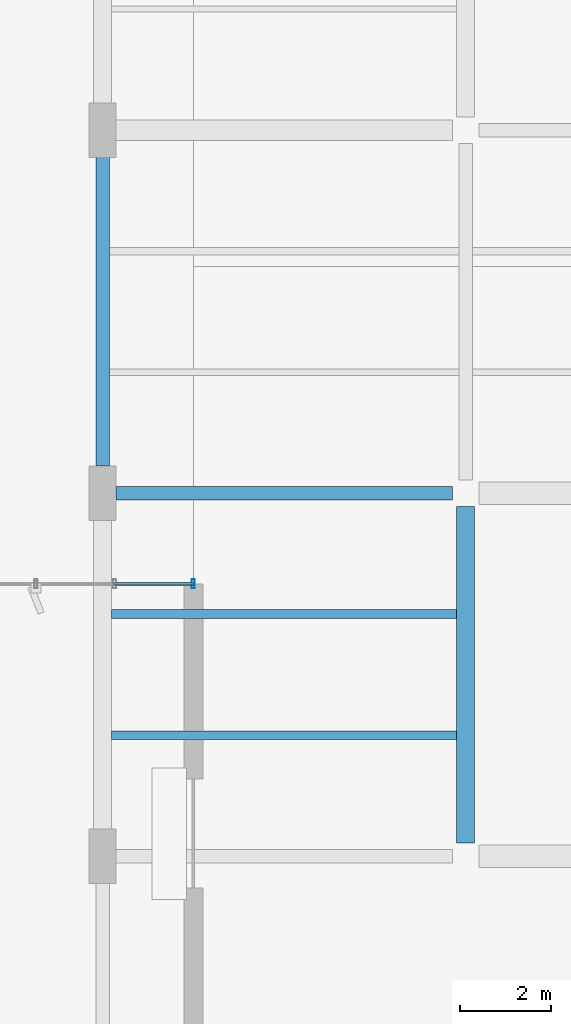
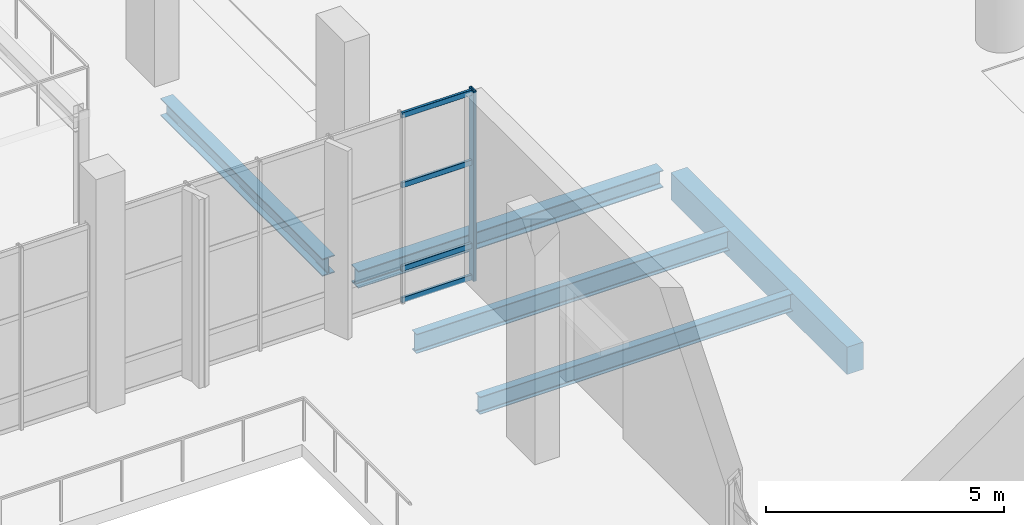
# One storey, part 48 of 163: 5 beams, 5 members, 1 element without a shape of its own.
"""IFC4 building model written with IfcOpenShell, lengths in metres."""

from ifc_helpers import new_model, si_unit, direction, frame, origin, origin_2d, place, context, subcontext, project, spatial, rectangle, hollow_rectangle, i_section, extrude, material, layer, layer_set, material_profile, profile_set, type_object, element, aggregate, save


model = new_model("IFC4")

# Units and contexts
model_context = context("Model", 3, precision=1e-05, world=origin(), true_north=direction((0.0, 1.0)))
body_context = subcontext(model_context, "Body", "Model", "MODEL_VIEW")
ifc_project = project(units=[si_unit("LENGTHUNIT", "METRE"), si_unit("AREAUNIT", "SQUARE_METRE"), si_unit("VOLUMEUNIT", "CUBIC_METRE"), si_unit("PLANEANGLEUNIT", "RADIAN"), si_unit("MASSUNIT", "GRAM", prefix="KILO")], contexts=[model_context])

# Site, building, storey
site_placement = place(None, origin())
site = spatial("IfcSite", under=ifc_project, at=site_placement, CompositionType="ELEMENT")
building_placement = place(site_placement, origin())
building = spatial("IfcBuilding", under=site, at=building_placement, Name="Khorjan Park Terminus", CompositionType="ELEMENT")
storey_placement = place(building_placement, origin())
storey = spatial("IfcBuildingStorey", under=building, at=storey_placement, Name="L00", CompositionType="ELEMENT", Elevation=0.0)

# Beams
ifc_material_1 = material(Name="Steel S355", Category="steel")
ifc_material_profile_1 = material_profile(ifc_material_1, i_section(OverallWidth=0.3, OverallDepth=0.44, WebThickness=0.0115, FlangeThickness=0.021, FilletRadius=0.027, at=origin_2d()), Name="HEA 450")
ifc_profile_set_1 = profile_set([ifc_material_profile_1], Name="Steel S355")
beam_type_1 = type_object("IfcBeamType", Name="BM-HEA450", PredefinedType="BEAM", material=ifc_profile_set_1)
beam_1_placement = place(storey_placement, frame((48.295, 52.0, -0.58), z_axis=(1.0, 0.0, 0.0), x_axis=(0.0, 1.0, 0.0)))
element("IfcBeam", 1, at=beam_1_placement, inside=storey, type_object=beam_type_1, Name="Primary floor girder SB-A45 (L00)", PredefinedType="BEAM", context=body_context, shape_type="SweptSolid", body=[
    extrude(i_section(OverallWidth=0.3, OverallDepth=0.44, WebThickness=0.0115, FlangeThickness=0.021, FilletRadius=0.027, at=origin_2d()), origin(), (0.0, 0.0, 1.0), 7.41),
])
ifc_material_profile_2 = material_profile(ifc_material_1, i_section(OverallWidth=0.3, OverallDepth=0.45, WebThickness=0.014, FlangeThickness=0.026, FilletRadius=0.027, at=origin_2d()), Name="HEB 450")
ifc_profile_set_2 = profile_set([ifc_material_profile_2], Name="Steel S355")
beam_type_2 = type_object("IfcBeamType", Name="BM-HEB450", PredefinedType="BEAM", material=ifc_profile_set_2)
beam_2_placement = place(storey_placement, frame((48.0, 52.595, -0.565), z_axis=(0.0, 1.0, 0.0), x_axis=(-1.0, 0.0, 0.0)))
element("IfcBeam", 2, at=beam_2_placement, inside=storey, type_object=beam_type_2, Name="Primary floor girder SB-B45 (L00)", PredefinedType="BEAM", context=body_context, shape_type="SweptSolid", body=[
    extrude(i_section(OverallWidth=0.3, OverallDepth=0.45, WebThickness=0.014, FlangeThickness=0.026, FilletRadius=0.027, at=origin_2d()), origin(), (0.0, 0.0, 1.0), 6.81),
])
ifc_material_2 = material(Name="Concrete C40/50", Category="concrete")
ifc_material_profile_3 = material_profile(ifc_material_2, rectangle(XDim=0.4, YDim=0.7, at=origin_2d()), Name="RC 400x700")
ifc_profile_set_3 = profile_set([ifc_material_profile_3], Name="Concrete C40/50")
beam_type_3 = type_object("IfcBeamType", Name="BM-RC400x700", PredefinedType="BEAM", material=ifc_profile_set_3)
beam_3_placement = place(storey_placement, frame((56.0, 44.295, -0.71), z_axis=(0.0, 1.0, 0.0), x_axis=(-1.0, 0.0, 0.0)))
element("IfcBeam", 3, at=beam_3_placement, inside=storey, type_object=beam_type_3, Name="Primary floor girder GB-07 (L00)", PredefinedType="BEAM", context=body_context, shape_type="SweptSolid", body=[
    extrude(rectangle(XDim=0.4, YDim=0.7, at=origin_2d()), origin(), (0.0, 0.0, 1.0), 7.41),
])
ifc_material_profile_4 = material_profile(ifc_material_1, i_section(OverallWidth=0.19, OverallDepth=0.45, WebThickness=0.0094, FlangeThickness=0.0146, FilletRadius=0.021, at=origin_2d()), Name="IPE 450")
ifc_profile_set_4 = profile_set([ifc_material_profile_4], Name="Steel S355")
beam_type_4 = type_object("IfcBeamType", Name="JS-IPE450", PredefinedType="JOIST", material=ifc_profile_set_4)
beam_4_placement = place(storey_placement, frame((48.2, 46.6667, -0.585), z_axis=(1.0, 0.0, 0.0), x_axis=(0.0, 1.0, 0.0)))
element("IfcBeam", 4, at=beam_4_placement, inside=storey, type_object=beam_type_4, Name="Secondary composite floor joist SJ-45 (L00)", PredefinedType="JOIST", context=body_context, shape_type="SweptSolid", body=[
    extrude(i_section(OverallWidth=0.19, OverallDepth=0.45, WebThickness=0.0094, FlangeThickness=0.0146, FilletRadius=0.021, at=origin_2d()), origin(), (0.0, 0.0, 1.0), 7.6),
])
ifc_material_profile_5 = material_profile(ifc_material_1, i_section(OverallWidth=0.2, OverallDepth=0.5, WebThickness=0.0102, FlangeThickness=0.016, FilletRadius=0.021, at=origin_2d()), Name="IPE 500")
ifc_profile_set_5 = profile_set([ifc_material_profile_5], Name="Steel S355")
beam_type_5 = type_object("IfcBeamType", Name="JS-IPE500", PredefinedType="JOIST", material=ifc_profile_set_5)
beam_5_placement = place(storey_placement, frame((48.2, 49.3333, -0.61), z_axis=(1.0, 0.0, 0.0), x_axis=(0.0, 1.0, 0.0)))
element("IfcBeam", 5, at=beam_5_placement, inside=storey, type_object=beam_type_5, Name="Secondary composite floor joist SJ-50 (L00)", PredefinedType="JOIST", context=body_context, shape_type="SweptSolid", body=[
    extrude(i_section(OverallWidth=0.2, OverallDepth=0.5, WebThickness=0.0102, FlangeThickness=0.016, FilletRadius=0.021, at=origin_2d()), origin(), (0.0, 0.0, 1.0), 7.6),
])

# Curtain wall, members
ifc_material_3 = material(Name="Anodized Bronze Aluminium", Category="aluminium")
ifc_layer = layer(ifc_material_3, 0.22)
ifc_layer_set = layer_set([ifc_layer], Name="Anodized Bronze Aluminium")
curtain_wall_type = type_object("IfcCurtainWallType", Name="CW-PAV-C", PredefinedType="NOTDEFINED", material=ifc_layer_set)
curtain_wall_placement = place(storey_placement, origin())
curtain_wall = element("IfcCurtainWall", 6, at=curtain_wall_placement, inside=storey, type_object=curtain_wall_type, Name="Unitized curtain wall CW-C (CW-V4L-S-L00-3)", PredefinedType="NOTDEFINED")
ifc_material_profile_6 = material_profile(ifc_material_3, hollow_rectangle(XDim=0.07, YDim=0.2, WallThickness=0.005, InnerFilletRadius=0.005, OuterFilletRadius=0.01, at=origin_2d()), Name="ALM 70x200x5")
ifc_profile_set_6 = profile_set([ifc_material_profile_6], Name="Anodized Bronze Aluminium")
member_type_1 = type_object("IfcMemberType", Name="ML-ALM-200", PredefinedType="MULLION", material=ifc_profile_set_6)
member_1_placement = place(storey_placement, frame((50.0, 50.0, -0.035), z_axis=(0.0, 0.0, 1.0), x_axis=(1.0, 0.0, 0.0)))
member_1 = element("IfcMember", 7, at=member_1_placement, type_object=member_type_1, Name="Curtain-wall mullion ML-20 (CW-V4L-S-L00-3-5)", PredefinedType="MULLION", context=body_context, shape_type="SweptSolid", body=[
    extrude(hollow_rectangle(XDim=0.07, YDim=0.2, WallThickness=0.005, InnerFilletRadius=0.005, OuterFilletRadius=0.01, at=origin_2d()), origin(), (0.0, 0.0, 1.0), 4.895),
])
ifc_material_profile_7 = material_profile(ifc_material_3, hollow_rectangle(XDim=0.065, YDim=0.14, WallThickness=0.004, InnerFilletRadius=0.004, OuterFilletRadius=0.008, at=origin_2d()), Name="ALT 65x140x4")
ifc_profile_set_7 = profile_set([ifc_material_profile_7], Name="Anodized Bronze Aluminium")
member_type_2 = type_object("IfcMemberType", Name="TR-ALT-140", PredefinedType="USERDEFINED", material=ifc_profile_set_7)
member_2_placement = place(storey_placement, frame((48.266, 50.0, 0.04), z_axis=(1.0, 0.0, 0.0), x_axis=(0.0, 1.0, 0.0)))
member_2 = element("IfcMember", 8, at=member_2_placement, type_object=member_type_2, Name="Curtain-wall transom TR-14 (CW-V4L-S-L00-3-4-1)", ObjectType="TRANSOM", PredefinedType="USERDEFINED", context=body_context, shape_type="SweptSolid", body=[
    extrude(hollow_rectangle(XDim=0.065, YDim=0.14, WallThickness=0.004, InnerFilletRadius=0.004, OuterFilletRadius=0.008, at=origin_2d()), origin(), (0.0, 0.0, 1.0), 1.734),
])
member_3_placement = place(storey_placement, frame((48.266, 50.0, 0.85), z_axis=(1.0, 0.0, 0.0), x_axis=(0.0, 1.0, 0.0)))
member_3 = element("IfcMember", 9, at=member_3_placement, type_object=member_type_2, Name="Curtain-wall transom TR-14 (CW-V4L-S-L00-3-4-2)", ObjectType="TRANSOM", PredefinedType="USERDEFINED", context=body_context, shape_type="SweptSolid", body=[
    extrude(hollow_rectangle(XDim=0.065, YDim=0.14, WallThickness=0.004, InnerFilletRadius=0.004, OuterFilletRadius=0.008, at=origin_2d()), origin(), (0.0, 0.0, 1.0), 1.734),
])
member_4_placement = place(storey_placement, frame((48.266, 50.0, 2.9915), z_axis=(1.0, 0.0, 0.0), x_axis=(0.0, 1.0, 0.0)))
member_4 = element("IfcMember", 10, at=member_4_placement, type_object=member_type_2, Name="Curtain-wall transom TR-14 (CW-V4L-S-L00-3-4-3)", ObjectType="TRANSOM", PredefinedType="USERDEFINED", context=body_context, shape_type="SweptSolid", body=[
    extrude(hollow_rectangle(XDim=0.065, YDim=0.14, WallThickness=0.004, InnerFilletRadius=0.004, OuterFilletRadius=0.008, at=origin_2d()), origin(), (0.0, 0.0, 1.0), 1.734),
])
member_5_placement = place(storey_placement, frame((48.266, 50.0, 4.785), z_axis=(1.0, 0.0, 0.0), x_axis=(0.0, 1.0, 0.0)))
member_5 = element("IfcMember", 11, at=member_5_placement, type_object=member_type_2, Name="Curtain-wall transom TR-14 (CW-V4L-S-L00-3-4-4)", ObjectType="TRANSOM", PredefinedType="USERDEFINED", context=body_context, shape_type="SweptSolid", body=[
    extrude(hollow_rectangle(XDim=0.065, YDim=0.14, WallThickness=0.004, InnerFilletRadius=0.004, OuterFilletRadius=0.008, at=origin_2d()), origin(), (0.0, 0.0, 1.0), 1.734),
])
aggregate(curtain_wall, [member_1, member_2, member_3, member_4, member_5])

save(model, "model.ifc")
